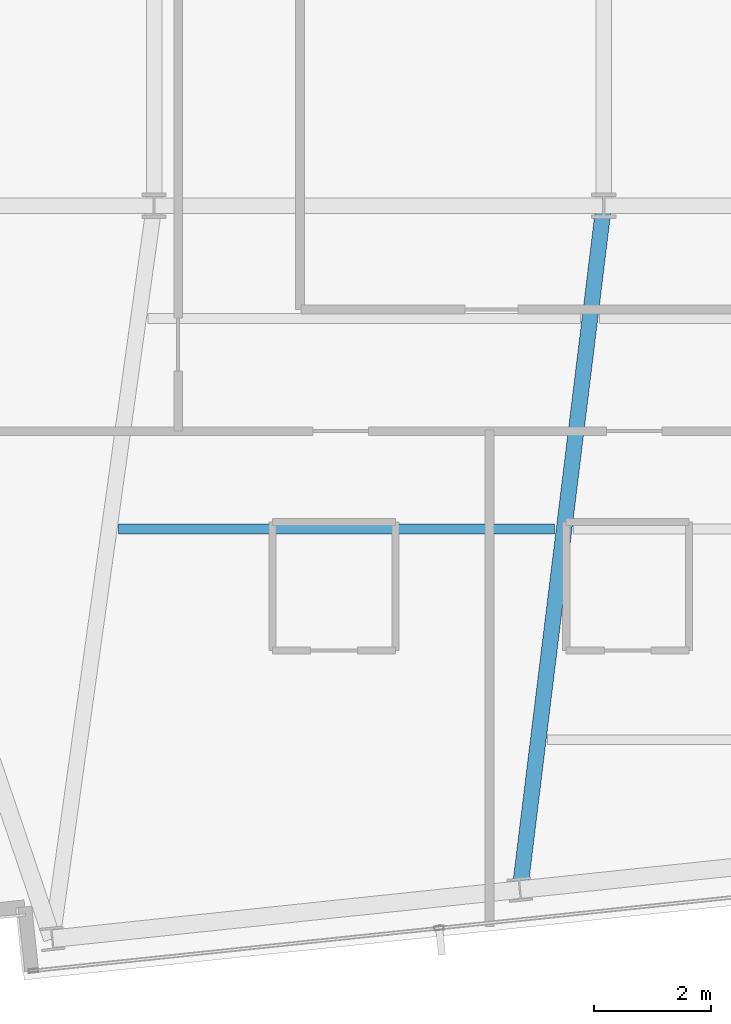
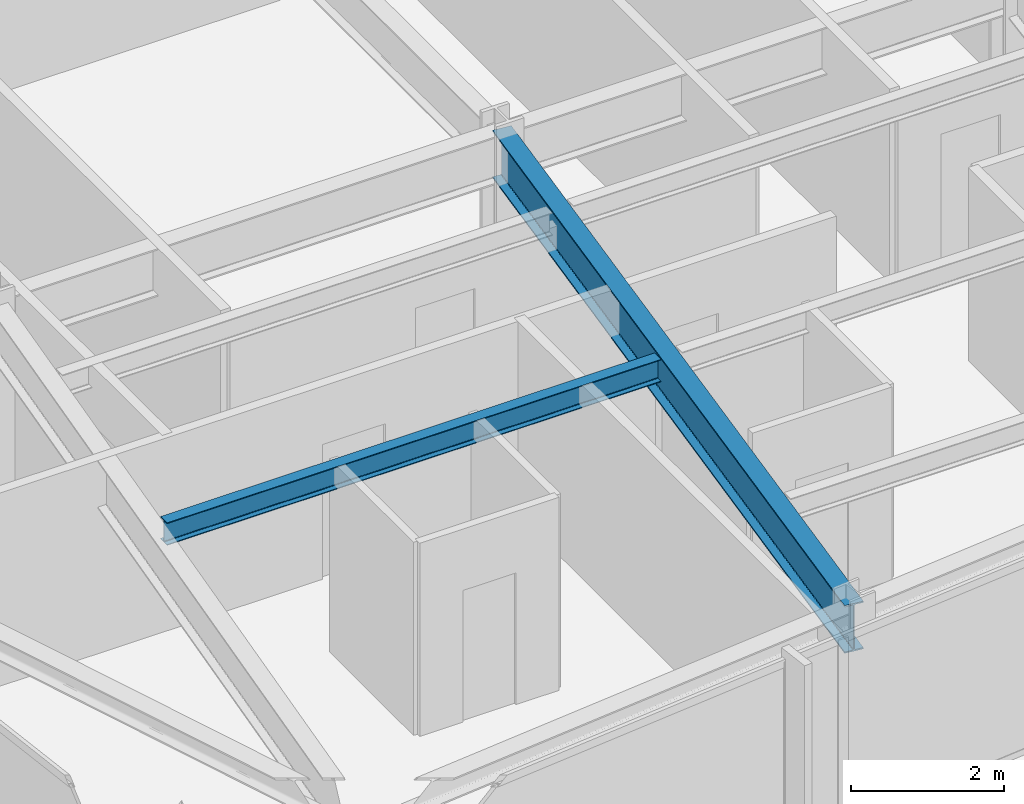
# One storey, part 4 of 33: 2 beams.
"""IFC4 building model written with IfcOpenShell, lengths in metres."""

from ifc_helpers import new_model, si_unit, direction, frame, origin, origin_2d, place, context, subcontext, project, spatial, i_section, extrude, material, material_profile, profile_set, type_object, element, save


model = new_model("IFC4")

# Units and contexts
model_context = context("Model", 3, precision=1e-05, world=origin(), true_north=direction((0.0, 1.0)))
body_context = subcontext(model_context, "Body", "Model", "MODEL_VIEW")
ifc_project = project(units=[si_unit("LENGTHUNIT", "METRE"), si_unit("AREAUNIT", "SQUARE_METRE"), si_unit("VOLUMEUNIT", "CUBIC_METRE"), si_unit("PLANEANGLEUNIT", "RADIAN"), si_unit("MASSUNIT", "GRAM", prefix="KILO")], contexts=[model_context])

# Site, building, storey
site_placement = place(None, origin())
site = spatial("IfcSite", under=ifc_project, at=site_placement, CompositionType="ELEMENT")
building_placement = place(site_placement, origin())
building = spatial("IfcBuilding", under=site, at=building_placement, Name="Yelkora Congress Tower", CompositionType="ELEMENT")
storey_placement = place(building_placement, frame((0.0, 0.0, 234.199951171875)))
storey = spatial("IfcBuildingStorey", under=building, at=storey_placement, Name="L65", CompositionType="ELEMENT", Elevation=234.199951171875)

# Beams
ifc_material = material(Name="Steel S355J2", Category="steel")
ifc_material_profile_1 = material_profile(ifc_material, i_section(OverallWidth=0.26708984375, OverallDepth=0.761962890625, WebThickness=0.014404296875, FlangeThickness=0.021484375, FilletRadius=0.01708984375, at=origin_2d()), Name="IPE 750x173")
ifc_profile_set_1 = profile_set([ifc_material_profile_1], Name="Steel S355J2")
beam_type_1 = type_object("IfcBeamType", Name="BM-GIRD-IPE750", PredefinedType="BEAM", material=ifc_profile_set_1)
beam_1_placement = place(storey_placement, frame((29.288330078125, 13.518310546875, 2.698974609375), z_axis=(0.121644630436, 0.992573717104, 0.0), x_axis=(-0.992573717104, 0.121644630436, 0.0)))
element("IfcBeam", 1, at=beam_1_placement, inside=storey, type_object=beam_type_1, Name="L65 Primary Frame Girder S02", PredefinedType="BEAM", context=body_context, shape_type="SweptSolid", body=[
    extrude(i_section(OverallWidth=0.26708984375, OverallDepth=0.761962890625, WebThickness=0.014404296875, FlangeThickness=0.021484375, FilletRadius=0.01708984375, at=origin_2d()), origin(), (0.0, 0.0, 1.0), 11.76904296875),
])
ifc_material_profile_2 = material_profile(ifc_material, i_section(OverallWidth=0.169921875, OverallDepth=0.360107421875, WebThickness=0.008056640625, FlangeThickness=0.0126953125, FilletRadius=0.01806640625, at=origin_2d()), Name="IPE 360")
ifc_profile_set_2 = profile_set([ifc_material_profile_2], Name="Steel S355J2")
beam_type_2 = type_object("IfcBeamType", Name="BM-JOIST-IPE360", PredefinedType="JOIST", material=ifc_profile_set_2)
beam_2_placement = place(storey_placement, frame((22.432373046875, 19.678466796875, 2.900146484375), z_axis=(1.0, 0.0, 0.0), x_axis=(0.0, 1.0, 0.0)))
element("IfcBeam", 2, at=beam_2_placement, inside=storey, type_object=beam_type_2, Name="L65 Composite Floor Joist 3", PredefinedType="JOIST", context=body_context, shape_type="SweptSolid", body=[
    extrude(i_section(OverallWidth=0.169921875, OverallDepth=0.360107421875, WebThickness=0.008056640625, FlangeThickness=0.0126953125, FilletRadius=0.01806640625, at=origin_2d()), origin(), (0.0, 0.0, 1.0), 7.450927734375),
])

save(model, "model.ifc")
